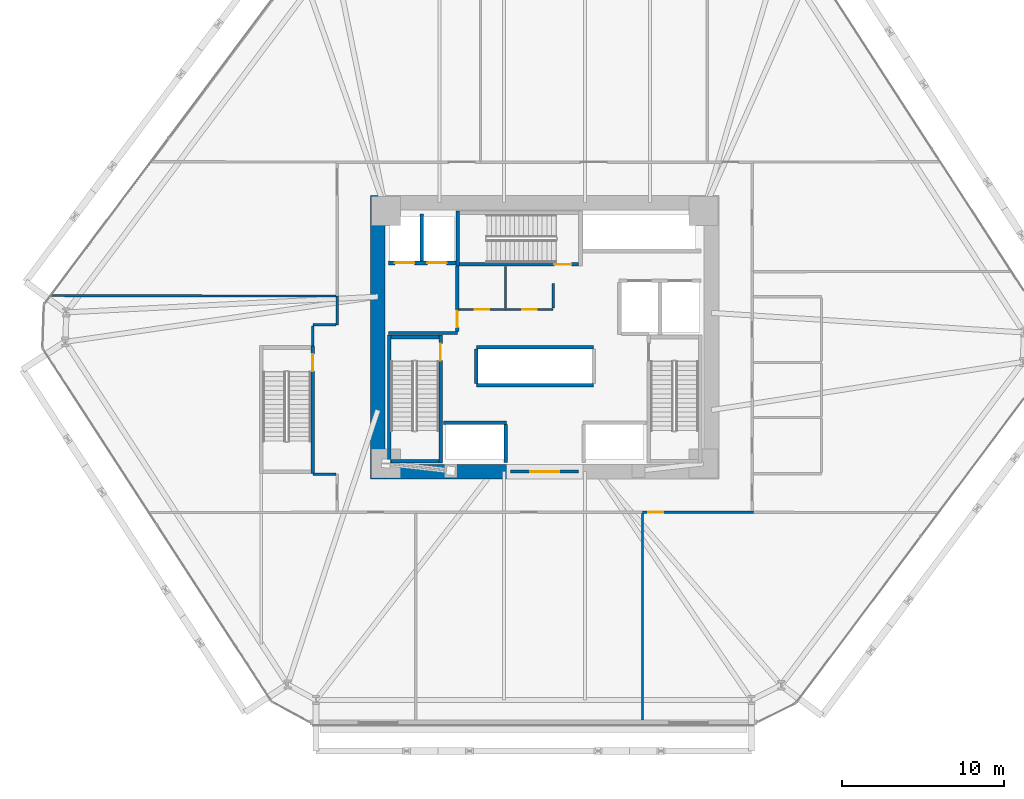
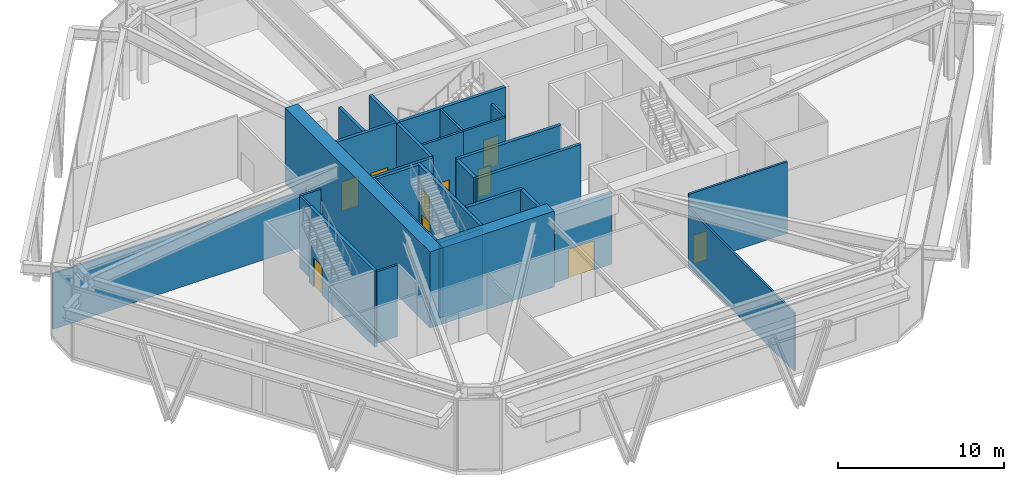
# One storey, part 14 of 19: 30 walls, 10 doors, 10 openings.
"""IFC4 building model written with IfcOpenShell, lengths in metres."""

from ifc_helpers import new_model, si_unit, direction, frame, frame_2d, origin, place, context, subcontext, project, spatial, rectangle, extrude, source, transform, mapped, material, layer, layer_set, type_object, type_shapes, element, fill, save


model = new_model("IFC4")

# Units and contexts
model_context = context("Model", 3, precision=1e-05, world=origin(), true_north=direction((0.0, 1.0)))
body_context = subcontext(model_context, "Body", "Model", "MODEL_VIEW")
ifc_project = project(units=[si_unit("LENGTHUNIT", "METRE"), si_unit("AREAUNIT", "SQUARE_METRE"), si_unit("VOLUMEUNIT", "CUBIC_METRE"), si_unit("PLANEANGLEUNIT", "RADIAN"), si_unit("MASSUNIT", "GRAM", prefix="KILO")], contexts=[model_context])

# Site, building, storey
site_placement = place(None, origin())
site = spatial("IfcSite", under=ifc_project, at=site_placement, CompositionType="ELEMENT")
building_placement = place(site_placement, origin())
building = spatial("IfcBuilding", under=site, at=building_placement, Name="Durnholm Broadcast Tower", CompositionType="ELEMENT")
storey_placement = place(building_placement, frame((0.0, 0.0, 15.60009765625)))
storey = spatial("IfcBuildingStorey", under=building, at=storey_placement, Name="L03", CompositionType="ELEMENT", Elevation=15.60009765625)

# Walls
ifc_material_1 = material(Name="Concrete C70/85", Category="concrete")
ifc_layer_1 = layer(ifc_material_1, 0.89990234375)
ifc_layer_set_1 = layer_set([ifc_layer_1], Name="Concrete C70/85")
wall_type_1 = type_object("IfcWallType", Name="WALL-CW-900", PredefinedType="SHEAR", material=ifc_layer_set_1)
wall_1_placement = place(storey_placement, frame((-10.300048828125, -8.75, 0.0), z_axis=(0.0, 0.0, 1.0), x_axis=(0.0, 1.0, 0.0)))
element("IfcWall", 1, at=wall_1_placement, inside=storey, type_object=wall_type_1, Name="L03 central core shear wall CW-WEST", PredefinedType="SHEAR", context=body_context, shape_type="SweptSolid", body=[
    extrude(rectangle(XDim=17.5, YDim=0.89990234375, at=frame_2d((8.75, 0.0))), origin(), (0.0, 0.0, 1.0), 5.599853515625),
])
wall_2_placement = place(storey_placement, frame((-9.85009765625, -8.300048828125, 0.0), z_axis=(0.0, 0.0, 1.0), x_axis=(1.0, 0.0, 0.0)))
element("IfcWall", 2, at=wall_2_placement, inside=storey, type_object=wall_type_1, Name="L03 central core shear wall CW-S1", PredefinedType="SHEAR", context=body_context, shape_type="SweptSolid", body=[
    extrude(rectangle(XDim=7.75, YDim=0.89990234375, at=frame_2d((3.875, 0.0))), origin(), (0.0, 0.0, 1.0), 5.599853515625),
])

# Wall, opening, door
ifc_material_2 = material(Name="Fire-Rated Gypsum Shaftwall", Category="concrete")
ifc_layer_2 = layer(ifc_material_2, 0.199951171875)
ifc_layer_set_2 = layer_set([ifc_layer_2], Name="Fire-Rated Gypsum Shaftwall")
wall_type_2 = type_object("IfcWallType", Name="WALL-LOB-200", PredefinedType="SOLIDWALL", material=ifc_layer_set_2)
wall_3_placement = place(storey_placement, frame((-2.10009765625, -8.300048828125, 0.0), z_axis=(0.0, 0.0, 1.0), x_axis=(1.0, 0.0, 0.0)))
wall_3 = element("IfcWall", 3, at=wall_3_placement, inside=storey, type_object=wall_type_2, Name="L03 south core lobby fire screen", PredefinedType="SOLIDWALL", context=body_context, shape_type="SweptSolid", body=[
    extrude(rectangle(XDim=4.2001953125, YDim=0.199951171875, at=frame_2d((2.10009765625, 0.0))), origin(), (0.0, 0.0, 1.0), 5.264892578125),
])
opening_1_placement = place(wall_3_placement, frame((1.199951171875, 0.0, 0.0)))
opening_1 = element("IfcOpeningElement", 4, at=opening_1_placement, cuts=wall_3, Name="Opening DP-60", PredefinedType="OPENING", context=body_context, shape_type="SweptSolid", body=[
    extrude(rectangle(XDim=1.800048828125, YDim=2.14990234375, at=frame_2d((0.89990234375, 1.074951171875))), frame((0.0, 0.10986328125, 0.0), z_axis=(0.0, -1.0, 0.0), x_axis=(1.0, 0.0, 0.0)), (0.0, 0.0, 1.0), 0.219970703125),
])
ifc_material_3 = material(Name="Fire-Rated Double Corridor Door", Category="steel")
ifc_layer_3 = layer(ifc_material_3, 0.050048828125)
ifc_layer_set_3 = layer_set([ifc_layer_3], Name="Fire-Rated Double Corridor Door")
door_type_1 = type_object("IfcDoorType", Name="DOOR-PAIR-FD60", OperationType="DOUBLE_DOOR_SINGLE_SWING", PredefinedType="DOOR", material=ifc_layer_set_3)
shared_shape_1 = source(origin(), body_context, "Body", "SweptSolid", [
    extrude(rectangle(XDim=1.800048828125, YDim=2.14990234375, at=frame_2d((0.89990234375, 1.074951171875))), frame((0.0, 0.02490234375, 0.0), z_axis=(0.0, -1.0, 0.0), x_axis=(1.0, 0.0, 0.0)), (0.0, 0.0, 1.0), 0.050048828125),
])
type_shapes(door_type_1, [shared_shape_1])
door_1_placement = place(opening_1_placement, origin())
door_1 = element("IfcDoor", 5, at=door_1_placement, inside=storey, type_object=door_type_1, Name="L03 south core lobby double fire door", OperationType="DOUBLE_DOOR_SINGLE_SWING", OverallHeight=2.14990234375, OverallWidth=1.800048828125, PredefinedType="DOOR", context=body_context, shape_type="MappedRepresentation", body=[
    mapped(shared_shape_1, transform((0.0, 0.0, 0.0), x_axis=(1.0, 0.0, 0.0), y_axis=(0.0, 1.0, 0.0), z_axis=(0.0, 0.0, 1.0), scale=1.0)),
])
fill(opening_1, door_1)

# Wall
wall_4_placement = place(storey_placement, frame((-9.64990234375, 0.25, 0.0), z_axis=(0.0, 0.0, 1.0), x_axis=(1.0, 0.0, 0.0)))
element("IfcWall", 6, at=wall_4_placement, inside=storey, type_object=wall_type_2, Name="L03 Fire Service Access Elevator lobby south wall", PredefinedType="SOLIDWALL", context=body_context, shape_type="SweptSolid", body=[
    extrude(rectangle(XDim=4.27001953125, YDim=0.199951171875, at=frame_2d((2.135009765625, 0.0))), origin(), (0.0, 0.0, 1.0), 5.264892578125),
])

# Wall, opening, door
wall_5_placement = place(storey_placement, frame((-5.39990234375, 0.35400390625, 0.0), z_axis=(0.0, 0.0, 1.0), x_axis=(0.0, 1.0, 0.0)))
wall_5 = element("IfcWall", 7, at=wall_5_placement, inside=storey, type_object=wall_type_2, Name="L03 Fire Service Access Elevator lobby east fire wall", PredefinedType="SOLIDWALL", context=body_context, shape_type="SweptSolid", body=[
    extrude(rectangle(XDim=4.02587890625, YDim=0.199951171875, at=frame_2d((2.012939453125, 0.0))), origin(), (0.0, 0.0, 1.0), 5.264892578125),
])
opening_2_placement = place(wall_5_placement, frame((0.24609375, 0.0, 0.0)))
opening_2 = element("IfcOpeningElement", 8, at=opening_2_placement, cuts=wall_5, Name="Opening DL-60R", PredefinedType="OPENING", context=body_context, shape_type="SweptSolid", body=[
    extrude(rectangle(XDim=1.0, YDim=2.14990234375, at=frame_2d((0.5, 1.074951171875))), frame((0.0, 0.10986328125, 0.0), z_axis=(0.0, -1.0, 0.0), x_axis=(1.0, 0.0, 0.0)), (0.0, 0.0, 1.0), 0.219970703125),
])
ifc_material_4 = material(Name="Fire-Rated Timber/Steel Door", Category="steel")
ifc_layer_4 = layer(ifc_material_4, 0.050048828125)
ifc_layer_set_4 = layer_set([ifc_layer_4], Name="Fire-Rated Timber/Steel Door")
door_type_2 = type_object("IfcDoorType", Name="DOOR-LOB-FD60-R", OperationType="NOTDEFINED", PredefinedType="DOOR", material=ifc_layer_set_4)
shared_shape_2 = source(origin(), body_context, "Body", "SweptSolid", [
    extrude(rectangle(XDim=1.0, YDim=2.14990234375, at=frame_2d((0.5, 1.074951171875))), frame((0.0, 0.02490234375, 0.0), z_axis=(0.0, -1.0, 0.0), x_axis=(1.0, 0.0, 0.0)), (0.0, 0.0, 1.0), 0.050048828125),
])
type_shapes(door_type_2, [shared_shape_2])
door_2_placement = place(opening_2_placement, origin())
door_2 = element("IfcDoor", 9, at=door_2_placement, inside=storey, type_object=door_type_2, Name="L03 Fire Service Access Elevator lobby smoke door", OperationType="SINGLE_SWING_RIGHT", OverallHeight=2.14990234375, OverallWidth=1.0, PredefinedType="DOOR", context=body_context, shape_type="MappedRepresentation", body=[
    mapped(shared_shape_2, transform((0.0, 0.0, 0.0), x_axis=(1.0, 0.0, 0.0), y_axis=(0.0, 1.0, 0.0), z_axis=(0.0, 0.0, 1.0), scale=1.0)),
])
fill(opening_2, door_2)

# Walls
ifc_material_5 = material(Name="Gypsum Metal Stud Partition", Category="concrete")
ifc_layer_5 = layer(ifc_material_5, 0.135009765625)
ifc_layer_set_5 = layer_set([ifc_layer_5], Name="Gypsum Metal Stud Partition")
wall_type_3 = type_object("IfcWallType", Name="WALL-PART-135", PredefinedType="PARTITIONING", material=ifc_layer_set_5)
wall_6_placement = place(storey_placement, frame((-2.419921875, 4.375, 0.0), z_axis=(0.0, 0.0, 1.0), x_axis=(0.0, -1.0, 0.0)))
element("IfcWall", 10, at=wall_6_placement, inside=storey, type_object=wall_type_3, Name="L03 room dividing partition 1.2", PredefinedType="PARTITIONING", context=body_context, shape_type="SweptSolid", body=[
    extrude(rectangle(XDim=2.5859375, YDim=0.135009765625, at=frame_2d((1.29296875, 0.0))), origin(), (0.0, 0.0, 1.0), 5.264892578125),
])
wall_7_placement = place(storey_placement, frame((6.0400390625, -10.888916015625, 0.0), z_axis=(0.0, 0.0, 1.0), x_axis=(0.0, -1.0, 0.0)))
element("IfcWall", 11, at=wall_7_placement, inside=storey, type_object=wall_type_3, Name="L03 room dividing partition 10.11", PredefinedType="PARTITIONING", context=body_context, shape_type="SweptSolid", body=[
    extrude(rectangle(XDim=12.756103515625, YDim=0.135009765625, at=frame_2d((6.3779296875, 0.0))), origin(), (0.0, 0.0, 1.0), 4.284423828125),
])
wall_8_placement = place(storey_placement, frame((-30.504638671875, 2.56396484375, 0.0), z_axis=(0.0, 0.0, 1.0), x_axis=(0.999999077639, -0.001358204807, 0.0)))
element("IfcWall", 12, at=wall_8_placement, inside=storey, type_object=wall_type_3, Name="L03 room dividing partition 12.13", PredefinedType="PARTITIONING", context=body_context, shape_type="SweptSolid", body=[
    extrude(rectangle(XDim=17.61572265625, YDim=0.135009765625, at=frame_2d((8.807861328125, 0.0))), origin(), (0.0, 0.0, 1.0), 4.096923828125),
])

# Wall, opening, door
ifc_material_6 = material(Name="Acoustic Gypsum Stud Partition", Category="concrete")
ifc_layer_6 = layer(ifc_material_6, 0.14990234375)
ifc_layer_set_6 = layer_set([ifc_layer_6], Name="Acoustic Gypsum Stud Partition")
wall_type_4 = type_object("IfcWallType", Name="WALL-PART-150", PredefinedType="PARTITIONING", material=ifc_layer_set_6)
wall_9_placement = place(storey_placement, frame((-2.419921875, 1.7099609375, 0.0), z_axis=(0.0, 0.0, 1.0), x_axis=(-1.0, 0.0, 0.0)))
wall_9 = element("IfcWall", 13, at=wall_9_placement, inside=storey, type_object=wall_type_4, Name="L03 Core Equipment Store corridor partition", PredefinedType="PARTITIONING", context=body_context, shape_type="SweptSolid", body=[
    extrude(rectangle(XDim=2.8759765625, YDim=0.14990234375, at=frame_2d((1.43798828125, 0.0))), origin(), (0.0, 0.0, 1.0), 5.264892578125),
])
opening_3_placement = place(wall_9_placement, frame((0.988037109375, 0.0, 0.0)))
opening_3 = element("IfcOpeningElement", 14, at=opening_3_placement, cuts=wall_9, Name="Opening DC-60R", PredefinedType="OPENING", context=body_context, shape_type="SweptSolid", body=[
    extrude(rectangle(XDim=0.89990234375, YDim=2.050048828125, at=frame_2d((0.449951171875, 1.02490234375))), frame((0.0, 0.0849609375, 0.0), z_axis=(0.0, -1.0, 0.0), x_axis=(1.0, 0.0, 0.0)), (0.0, 0.0, 1.0), 0.169921875),
])
ifc_material_7 = material(Name="Fire-Rated Core Service Door", Category="steel")
ifc_layer_7 = layer(ifc_material_7, 0.050048828125)
ifc_layer_set_7 = layer_set([ifc_layer_7], Name="Fire-Rated Core Service Door")
door_type_3 = type_object("IfcDoorType", Name="DOOR-CORE-FD60-R", OperationType="NOTDEFINED", PredefinedType="DOOR", material=ifc_layer_set_7)
shared_shape_3 = source(origin(), body_context, "Body", "SweptSolid", [
    extrude(rectangle(XDim=0.89990234375, YDim=2.050048828125, at=frame_2d((0.449951171875, 1.02490234375))), frame((0.0, 0.02490234375, 0.0), z_axis=(0.0, -1.0, 0.0), x_axis=(1.0, 0.0, 0.0)), (0.0, 0.0, 1.0), 0.050048828125),
])
type_shapes(door_type_3, [shared_shape_3])
door_3_placement = place(opening_3_placement, origin())
door_3 = element("IfcDoor", 15, at=door_3_placement, inside=storey, type_object=door_type_3, Name="L03 Core Equipment Store entrance door", OperationType="SINGLE_SWING_RIGHT", OverallHeight=2.050048828125, OverallWidth=0.89990234375, PredefinedType="DOOR", context=body_context, shape_type="MappedRepresentation", body=[
    mapped(shared_shape_3, transform((0.0, 0.0, 0.0), x_axis=(1.0, 0.0, 0.0), y_axis=(0.0, 1.0, 0.0), z_axis=(0.0, 0.0, 1.0), scale=1.0)),
])
fill(opening_3, door_3)

wall_10_placement = place(storey_placement, frame((0.52001953125, 1.7099609375, 0.0), z_axis=(0.0, 0.0, 1.0), x_axis=(-1.0, 0.0, 0.0)))
wall_10 = element("IfcWall", 16, at=wall_10_placement, inside=storey, type_object=wall_type_4, Name="L03 Core Mail and Supply Room corridor partition", PredefinedType="PARTITIONING", context=body_context, shape_type="SweptSolid", body=[
    extrude(rectangle(XDim=2.93994140625, YDim=0.14990234375, at=frame_2d((1.469970703125, 0.0))), origin(), (0.0, 0.0, 1.0), 5.264892578125),
])
opening_4_placement = place(wall_10_placement, frame((1.02001953125, 0.0, 0.0)))
opening_4 = element("IfcOpeningElement", 17, at=opening_4_placement, cuts=wall_10, Name="Opening DC-60L", PredefinedType="OPENING", context=body_context, shape_type="SweptSolid", body=[
    extrude(rectangle(XDim=0.89990234375, YDim=2.050048828125, at=frame_2d((0.449951171875, 1.02490234375))), frame((0.0, 0.0849609375, 0.0), z_axis=(0.0, -1.0, 0.0), x_axis=(1.0, 0.0, 0.0)), (0.0, 0.0, 1.0), 0.169921875),
])
ifc_layer_8 = layer(ifc_material_7, 0.050048828125)
ifc_layer_set_8 = layer_set([ifc_layer_8], Name="Fire-Rated Core Service Door")
door_type_4 = type_object("IfcDoorType", Name="DOOR-CORE-FD60-L", OperationType="NOTDEFINED", PredefinedType="DOOR", material=ifc_layer_set_8)
shared_shape_4 = source(origin(), body_context, "Body", "SweptSolid", [
    extrude(rectangle(XDim=0.89990234375, YDim=2.050048828125, at=frame_2d((0.449951171875, 1.02490234375))), frame((0.0, 0.02490234375, 0.0), z_axis=(0.0, -1.0, 0.0), x_axis=(1.0, 0.0, 0.0)), (0.0, 0.0, 1.0), 0.050048828125),
])
type_shapes(door_type_4, [shared_shape_4])
door_4_placement = place(opening_4_placement, origin())
door_4 = element("IfcDoor", 18, at=door_4_placement, inside=storey, type_object=door_type_4, Name="L03 Core Mail and Supply Room entrance door", OperationType="SINGLE_SWING_LEFT", OverallHeight=2.050048828125, OverallWidth=0.89990234375, PredefinedType="DOOR", context=body_context, shape_type="MappedRepresentation", body=[
    mapped(shared_shape_4, transform((0.0, 0.0, 0.0), x_axis=(1.0, 0.0, 0.0), y_axis=(0.0, 1.0, 0.0), z_axis=(0.0, 0.0, 1.0), scale=1.0)),
])
fill(opening_4, door_4)

# Wall
wall_11_placement = place(storey_placement, frame((0.52001953125, 3.300048828125, 0.0), z_axis=(0.0, 0.0, 1.0), x_axis=(0.0, -1.0, 0.0)))
element("IfcWall", 19, at=wall_11_placement, inside=storey, type_object=wall_type_4, Name="L03 Core Mail and Supply Room corridor partition", PredefinedType="PARTITIONING", context=body_context, shape_type="SweptSolid", body=[
    extrude(rectangle(XDim=1.510986328125, YDim=0.14990234375, at=frame_2d((0.75537109375, 0.0))), origin(), (0.0, 0.0, 1.0), 5.264892578125),
])

# Wall, opening, door
wall_12_placement = place(storey_placement, frame((6.0400390625, -10.81005859375, 0.0), z_axis=(0.0, 0.0, 1.0), x_axis=(1.0, 0.0, 0.0)))
wall_12 = element("IfcWall", 20, at=wall_12_placement, inside=storey, type_object=wall_type_4, Name="L03 Green Lounge corridor partition", PredefinedType="PARTITIONING", context=body_context, shape_type="SweptSolid", body=[
    extrude(rectangle(XDim=6.849853515625, YDim=0.14990234375, at=frame_2d((3.4248046875, 0.0))), origin(), (0.0, 0.0, 1.0), 5.264892578125),
])
opening_5_placement = place(wall_12_placement, frame((0.35009765625, 0.0, 0.0)))
opening_5 = element("IfcOpeningElement", 21, at=opening_5_placement, cuts=wall_12, Name="Opening DR-92R", PredefinedType="OPENING", context=body_context, shape_type="SweptSolid", body=[
    extrude(rectangle(XDim=0.919921875, YDim=2.10009765625, at=frame_2d((0.4599609375, 1.050048828125))), frame((0.0, 0.0849609375, 0.0), z_axis=(0.0, -1.0, 0.0), x_axis=(1.0, 0.0, 0.0)), (0.0, 0.0, 1.0), 0.169921875),
])
ifc_material_8 = material(Name="Oak Veneer Office Door", Category="wood")
ifc_layer_9 = layer(ifc_material_8, 0.050048828125)
ifc_layer_set_9 = layer_set([ifc_layer_9], Name="Oak Veneer Office Door")
door_type_5 = type_object("IfcDoorType", Name="DOOR-RM-920R", OperationType="NOTDEFINED", PredefinedType="DOOR", material=ifc_layer_set_9)
shared_shape_5 = source(origin(), body_context, "Body", "SweptSolid", [
    extrude(rectangle(XDim=0.919921875, YDim=2.10009765625, at=frame_2d((0.4599609375, 1.050048828125))), frame((0.0, 0.02490234375, 0.0), z_axis=(0.0, -1.0, 0.0), x_axis=(1.0, 0.0, 0.0)), (0.0, 0.0, 1.0), 0.050048828125),
])
type_shapes(door_type_5, [shared_shape_5])
door_5_placement = place(opening_5_placement, origin())
door_5 = element("IfcDoor", 22, at=door_5_placement, inside=storey, type_object=door_type_5, Name="L03 Green Lounge entrance door", OperationType="SINGLE_SWING_RIGHT", OverallHeight=2.10009765625, OverallWidth=0.919921875, PredefinedType="DOOR", context=body_context, shape_type="MappedRepresentation", body=[
    mapped(shared_shape_5, transform((0.0, 0.0, 0.0), x_axis=(1.0, 0.0, 0.0), y_axis=(0.0, 1.0, 0.0), z_axis=(0.0, 0.0, 1.0), scale=1.0)),
])
fill(opening_5, door_5)

# Walls
wall_13_placement = place(storey_placement, frame((-12.81005859375, 2.5400390625, 0.0), z_axis=(0.0, 0.0, 1.0), x_axis=(0.0, -1.0, 0.0)))
element("IfcWall", 23, at=wall_13_placement, inside=storey, type_object=wall_type_4, Name="L03 Lighting Rack Store corridor partition", PredefinedType="PARTITIONING", context=body_context, shape_type="SweptSolid", body=[
    extrude(rectangle(XDim=1.780029296875, YDim=0.14990234375, at=frame_2d((0.89013671875, 0.0))), origin(), (0.0, 0.0, 1.0), 4.284423828125),
])
for number, where, z_axis, x_axis, name in (
    (24, (-12.888916015625, 0.760009765625, 0.0), (0.0, 0.0, 1.0), (-1.0, 0.0, 0.0), "L03 Lighting Rack Store corridor partition"),
    (25, (-14.31005859375, -8.4599609375, 0.0), (0.0, 0.0, 1.0), (1.0, 0.0, 0.0), "L03 Lighting Rack Store corridor partition"),
):
    element("IfcWall", number, at=place(storey_placement, frame(where, z_axis=z_axis, x_axis=x_axis)), inside=storey, type_object=wall_type_4, Name=name, PredefinedType="PARTITIONING", context=body_context, shape_type="SweptSolid", body=[
        extrude(rectangle(XDim=1.421142578125, YDim=0.14990234375, at=frame_2d((0.71044921875, 0.0))), origin(), (0.0, 0.0, 1.0), 5.264892578125),
    ])
wall_14_placement = place(storey_placement, frame((-14.31005859375, 0.680908203125, 0.0), z_axis=(0.0, 0.0, 1.0), x_axis=(0.0, -1.0, 0.0)))
element("IfcWall", 26, at=wall_14_placement, inside=storey, type_object=wall_type_4, Name="L03 Lighting Rack Store corridor partition", PredefinedType="PARTITIONING", context=body_context, shape_type="SweptSolid", body=[
    extrude(rectangle(XDim=1.2109375, YDim=0.14990234375, at=frame_2d((0.60546875, 0.0))), origin(), (0.0, 0.0, 1.0), 5.264892578125),
])

# Wall, openings, doors
ifc_material_9 = material(Name="Concrete Blockwork C30/37", Category="masonry")
ifc_layer_10 = layer(ifc_material_9, 0.219970703125)
ifc_layer_set_10 = layer_set([ifc_layer_10], Name="Concrete Blockwork C30/37")
wall_type_5 = type_object("IfcWallType", Name="WALL-SHAFT-220", PredefinedType="SOLIDWALL", material=ifc_layer_set_10)
wall_15_placement = place(storey_placement, frame((-9.64990234375, 4.580078125, 0.0), z_axis=(0.0, 0.0, 1.0), x_axis=(1.0, 0.0, 0.0)))
wall_15 = element("IfcWall", 27, at=wall_15_placement, inside=storey, type_object=wall_type_5, Name="L03 FSAE hoistway front fire wall", PredefinedType="SOLIDWALL", context=body_context, shape_type="SweptSolid", body=[
    extrude(rectangle(XDim=4.1748046875, YDim=0.219970703125, at=frame_2d((2.08740234375, 0.0))), origin(), (0.0, 0.0, 1.0), 5.264892578125),
])
opening_6_placement = place(wall_15_placement, frame((0.39990234375, 0.0, 0.0)))
opening_6 = element("IfcOpeningElement", 28, at=opening_6_placement, cuts=wall_15, Name="Opening LD-FSAE-2", PredefinedType="OPENING", context=body_context, shape_type="SweptSolid", body=[
    extrude(rectangle(XDim=1.199951171875, YDim=2.14990234375, at=frame_2d((0.60009765625, 1.074951171875))), frame((0.0, 0.1201171875, 0.0), z_axis=(0.0, -1.0, 0.0), x_axis=(1.0, 0.0, 0.0)), (0.0, 0.0, 1.0), 0.239990234375),
])
opening_7_placement = place(wall_15_placement, frame((2.39990234375, 0.0, 0.0)))
opening_7 = element("IfcOpeningElement", 29, at=opening_7_placement, cuts=wall_15, Name="Opening LD-FSAE-1", PredefinedType="OPENING", context=body_context, shape_type="SweptSolid", body=[
    extrude(rectangle(XDim=1.199951171875, YDim=2.14990234375, at=frame_2d((0.60009765625, 1.074951171875))), frame((0.0, 0.1201171875, 0.0), z_axis=(0.0, -1.0, 0.0), x_axis=(1.0, 0.0, 0.0)), (0.0, 0.0, 1.0), 0.239990234375),
])
ifc_material_10 = material(Name="Fire Service Access Sliding Landing Door", Category="steel")
ifc_layer_11 = layer(ifc_material_10, 0.050048828125)
ifc_layer_set_11 = layer_set([ifc_layer_11], Name="Fire Service Access Sliding Landing Door")
door_type_6 = type_object("IfcDoorType", Name="DOOR-LIFT-FSAE", OperationType="DOUBLE_DOOR_SLIDING", PredefinedType="DOOR", material=ifc_layer_set_11)
shared_shape_6 = source(origin(), body_context, "Body", "SweptSolid", [
    extrude(rectangle(XDim=1.199951171875, YDim=2.14990234375, at=frame_2d((0.60009765625, 1.074951171875))), frame((0.0, 0.02490234375, 0.0), z_axis=(0.0, -1.0, 0.0), x_axis=(1.0, 0.0, 0.0)), (0.0, 0.0, 1.0), 0.050048828125),
])
type_shapes(door_type_6, [shared_shape_6])
door_6_placement = place(opening_6_placement, origin())
door_6 = element("IfcDoor", 30, at=door_6_placement, inside=storey, type_object=door_type_6, Name="L03 Fire Service Access Elevator FSAE-2 sliding landing door", OperationType="DOUBLE_DOOR_SLIDING", OverallHeight=2.14990234375, OverallWidth=1.199951171875, PredefinedType="DOOR", context=body_context, shape_type="MappedRepresentation", body=[
    mapped(shared_shape_6, transform((0.0, 0.0, 0.0), x_axis=(1.0, 0.0, 0.0), y_axis=(0.0, 1.0, 0.0), z_axis=(0.0, 0.0, 1.0), scale=1.0)),
])
fill(opening_6, door_6)
door_7_placement = place(opening_7_placement, origin())
door_7 = element("IfcDoor", 31, at=door_7_placement, inside=storey, type_object=door_type_6, Name="L03 Fire Service Access Elevator FSAE-1 sliding landing door", OperationType="DOUBLE_DOOR_SLIDING", OverallHeight=2.14990234375, OverallWidth=1.199951171875, PredefinedType="DOOR", context=body_context, shape_type="MappedRepresentation", body=[
    mapped(shared_shape_6, transform((0.0, 0.0, 0.0), x_axis=(1.0, 0.0, 0.0), y_axis=(0.0, 1.0, 0.0), z_axis=(0.0, 0.0, 1.0), scale=1.0)),
])
fill(opening_7, door_7)

# Walls
wall_16_placement = place(storey_placement, frame((-7.580078125, 4.694091796875, 0.0), z_axis=(0.0, 0.0, 1.0), x_axis=(0.0, 1.0, 0.0)))
element("IfcWall", 32, at=wall_16_placement, inside=storey, type_object=wall_type_5, Name="L03 FSAE shaft divider wall", PredefinedType="SOLIDWALL", context=body_context, shape_type="SweptSolid", body=[
    extrude(rectangle(XDim=2.906005859375, YDim=0.219970703125, at=frame_2d((1.453125, 0.0))), origin(), (0.0, 0.0, 1.0), 5.264892578125),
])
wall_17_placement = place(storey_placement, frame((-6.25, -5.280029296875, 0.0), z_axis=(0.0, 0.0, 1.0), x_axis=(1.0, 0.0, 0.0)))
element("IfcWall", 33, at=wall_17_placement, inside=storey, type_object=wall_type_5, Name="L03 low-rise bank P1 west front wall", PredefinedType="SOLIDWALL", context=body_context, shape_type="SweptSolid", body=[
    extrude(rectangle(XDim=3.89990234375, YDim=0.219970703125, at=frame_2d((1.949951171875, 0.0))), origin(), (0.0, 0.0, 1.0), 5.264892578125),
])
wall_18_placement = place(storey_placement, frame((-2.39990234375, -7.75, 0.0), z_axis=(0.0, 0.0, 1.0), x_axis=(0.0, 1.0, 0.0)))
element("IfcWall", 34, at=wall_18_placement, inside=storey, type_object=wall_type_5, Name="L03 low-rise bank P1 west mouth wall", PredefinedType="SOLIDWALL", context=body_context, shape_type="SweptSolid", body=[
    extrude(rectangle(XDim=2.35595703125, YDim=0.219970703125, at=frame_2d((1.177978515625, 0.0))), origin(), (0.0, 0.0, 1.0), 5.264892578125),
])
for number, where, z_axis, x_axis, name in (
    (35, (-4.219970703125, -2.97998046875, 0.0), (0.0, 0.0, 1.0), (1.0, 0.0, 0.0), "L03 mid-rise bank P2 south front wall"),
    (36, (-4.219970703125, -0.6201171875, 0.0), (0.0, 0.0, 1.0), (1.0, 0.0, 0.0), "L03 mid-rise bank P2 north shaft wall"),
):
    element("IfcWall", number, at=place(storey_placement, frame(where, z_axis=z_axis, x_axis=x_axis)), inside=storey, type_object=wall_type_5, Name=name, PredefinedType="SOLIDWALL", context=body_context, shape_type="SweptSolid", body=[
        extrude(rectangle(XDim=7.239990234375, YDim=0.219970703125, at=frame_2d((3.6201171875, 0.0))), origin(), (0.0, 0.0, 1.0), 5.264892578125),
    ])
wall_19_placement = place(storey_placement, frame((-4.219970703125, -2.865966796875, 0.0), z_axis=(0.0, 0.0, 1.0), x_axis=(0.0, 1.0, 0.0)))
element("IfcWall", 37, at=wall_19_placement, inside=storey, type_object=wall_type_5, Name="L03 mid-rise bank P2 west shaft wall", PredefinedType="SOLIDWALL", context=body_context, shape_type="SweptSolid", body=[
    extrude(rectangle(XDim=2.132080078125, YDim=0.219970703125, at=frame_2d((1.06591796875, 0.0))), origin(), (0.0, 0.0, 1.0), 5.264892578125),
])

# Wall, opening, door
ifc_material_11 = material(Name="Concrete C50/60", Category="concrete")
ifc_layer_12 = layer(ifc_material_11, 0.219970703125)
ifc_layer_set_12 = layer_set([ifc_layer_12], Name="Concrete C50/60")
wall_type_6 = type_object("IfcWallType", Name="WALL-SW-220", PredefinedType="SHEAR", material=ifc_layer_set_12)
wall_20_placement = place(storey_placement, frame((-6.429931640625, -7.77001953125, -0.320068359375), z_axis=(0.0, 0.0, 1.0), x_axis=(0.0, 1.0, 0.0)))
wall_20 = element("IfcWall", 38, at=wall_20_placement, inside=storey, type_object=wall_type_6, Name="L03 stair ST-1 structural shaft wall E", PredefinedType="SHEAR", context=body_context, shape_type="SweptSolid", body=[
    extrude(rectangle(XDim=7.89013671875, YDim=0.219970703125, at=frame_2d((3.945068359375, 0.0))), origin(), (0.0, 0.0, 1.0), 5.599853515625),
])
opening_8_placement = place(wall_20_placement, frame((6.320068359375, 0.0, 0.0)))
opening_8 = element("IfcOpeningElement", 39, at=opening_8_placement, cuts=wall_20, Name="Opening DS-90L", PredefinedType="OPENING", context=body_context, shape_type="SweptSolid", body=[
    extrude(rectangle(XDim=1.050048828125, YDim=2.14990234375, at=frame_2d((0.52490234375, 1.074951171875))), frame((0.0, 0.1201171875, 0.0), z_axis=(0.0, -1.0, 0.0), x_axis=(1.0, 0.0, 0.0)), (0.0, 0.0, 1.0), 0.239990234375),
])
ifc_material_12 = material(Name="Fire-Rated Steel Door", Category="steel")
ifc_layer_13 = layer(ifc_material_12, 0.050048828125)
ifc_layer_set_13 = layer_set([ifc_layer_13], Name="Fire-Rated Steel Door")
door_type_7 = type_object("IfcDoorType", Name="DOOR-ST-FD90-L", OperationType="NOTDEFINED", PredefinedType="DOOR", material=ifc_layer_set_13)
shared_shape_7 = source(origin(), body_context, "Body", "SweptSolid", [
    extrude(rectangle(XDim=1.050048828125, YDim=2.14990234375, at=frame_2d((0.52490234375, 1.074951171875))), frame((0.0, 0.02490234375, 0.0), z_axis=(0.0, -1.0, 0.0), x_axis=(1.0, 0.0, 0.0)), (0.0, 0.0, 1.0), 0.050048828125),
])
type_shapes(door_type_7, [shared_shape_7])
door_8_placement = place(opening_8_placement, origin())
door_8 = element("IfcDoor", 40, at=door_8_placement, inside=storey, type_object=door_type_7, Name="L03 exit stair ST-1 fire door", OperationType="SINGLE_SWING_LEFT", OverallHeight=2.14990234375, OverallWidth=1.050048828125, PredefinedType="DOOR", context=body_context, shape_type="MappedRepresentation", body=[
    mapped(shared_shape_7, transform((0.0, 0.0, 0.0), x_axis=(1.0, 0.0, 0.0), y_axis=(0.0, 1.0, 0.0), z_axis=(0.0, 0.0, 1.0), scale=1.0)),
])
fill(opening_8, door_8)

# Walls
wall_21_placement = place(storey_placement, frame((-9.610107421875, 0.1201171875, -0.320068359375), z_axis=(0.0, 0.0, 1.0), x_axis=(0.0, -1.0, 0.0)))
element("IfcWall", 41, at=wall_21_placement, inside=storey, type_object=wall_type_6, Name="L03 stair ST-1 structural shaft wall W", PredefinedType="SHEAR", context=body_context, shape_type="SweptSolid", body=[
    extrude(rectangle(XDim=7.89013671875, YDim=0.219970703125, at=frame_2d((3.945068359375, 0.0))), origin(), (0.0, 0.0, 1.0), 5.599853515625),
])
for number, where, z_axis, x_axis, name in (
    (42, (-9.5, -7.659912109375, -0.320068359375), (0.0, 0.0, 1.0), (1.0, 0.0, 0.0), "L03 stair ST-1 structural shaft wall S"),
    (43, (-6.5400390625, 0.010009765625, -0.320068359375), (0.0, 0.0, 1.0), (-1.0, 0.0, 0.0), "L03 stair ST-1 structural shaft wall N"),
):
    element("IfcWall", number, at=place(storey_placement, frame(where, z_axis=z_axis, x_axis=x_axis)), inside=storey, type_object=wall_type_6, Name=name, PredefinedType="SHEAR", context=body_context, shape_type="SweptSolid", body=[
        extrude(rectangle(XDim=2.9599609375, YDim=0.219970703125, at=frame_2d((1.47998046875, 0.0))), origin(), (0.0, 0.0, 1.0), 5.599853515625),
    ])
wall_22_placement = place(storey_placement, frame((-5.360107421875, 7.780029296875, -0.320068359375), z_axis=(0.0, 0.0, 1.0), x_axis=(0.0, -1.0, 0.0)))
element("IfcWall", 44, at=wall_22_placement, inside=storey, type_object=wall_type_6, Name="L03 stair ST-3 structural shaft wall W", PredefinedType="SHEAR", context=body_context, shape_type="SweptSolid", body=[
    extrude(rectangle(XDim=3.400146484375, YDim=0.219970703125, at=frame_2d((1.7001953125, 0.0))), origin(), (0.0, 0.0, 1.0), 5.599853515625),
])

# Wall, opening, door
wall_23_placement = place(storey_placement, frame((-5.25, 4.489990234375, -0.320068359375), z_axis=(0.0, 0.0, 1.0), x_axis=(1.0, 0.0, 0.0)))
wall_23 = element("IfcWall", 45, at=wall_23_placement, inside=storey, type_object=wall_type_6, Name="L03 stair ST-3 structural shaft wall S", PredefinedType="SHEAR", context=body_context, shape_type="SweptSolid", body=[
    extrude(rectangle(XDim=7.35009765625, YDim=0.219970703125, at=frame_2d((3.675048828125, 0.0))), origin(), (0.0, 0.0, 1.0), 5.599853515625),
])
opening_9_placement = place(wall_23_placement, frame((5.85009765625, 0.0, 0.0)))
opening_9 = element("IfcOpeningElement", 46, at=opening_9_placement, cuts=wall_23, Name="Opening DS-90L", PredefinedType="OPENING", context=body_context, shape_type="SweptSolid", body=[
    extrude(rectangle(XDim=1.050048828125, YDim=2.14990234375, at=frame_2d((0.52490234375, 1.074951171875))), frame((0.0, 0.1201171875, 0.0), z_axis=(0.0, -1.0, 0.0), x_axis=(1.0, 0.0, 0.0)), (0.0, 0.0, 1.0), 0.239990234375),
])
door_9_placement = place(opening_9_placement, origin())
door_9 = element("IfcDoor", 47, at=door_9_placement, inside=storey, type_object=door_type_7, Name="L03 exit stair ST-3 fire door", OperationType="SINGLE_SWING_LEFT", OverallHeight=2.14990234375, OverallWidth=1.050048828125, PredefinedType="DOOR", context=body_context, shape_type="MappedRepresentation", body=[
    mapped(shared_shape_7, transform((0.0, 0.0, 0.0), x_axis=(1.0, 0.0, 0.0), y_axis=(0.0, 1.0, 0.0), z_axis=(0.0, 0.0, 1.0), scale=1.0)),
])
fill(opening_9, door_9)

wall_24_placement = place(storey_placement, frame((-14.330078125, -8.419921875, -0.320068359375), z_axis=(0.0, 0.0, 1.0), x_axis=(0.0, 1.0, 0.0)))
wall_24 = element("IfcWall", 48, at=wall_24_placement, inside=storey, type_object=wall_type_6, Name="L03 stair ST-4 structural shaft wall E", PredefinedType="SHEAR", context=body_context, shape_type="SweptSolid", body=[
    extrude(rectangle(XDim=7.889892578125, YDim=0.219970703125, at=frame_2d((3.94482421875, 0.0))), origin(), (0.0, 0.0, 1.0), 5.599853515625),
])
opening_10_placement = place(wall_24_placement, frame((6.320068359375, 0.0, 0.0)))
opening_10 = element("IfcOpeningElement", 49, at=opening_10_placement, cuts=wall_24, Name="Opening DS-90R", PredefinedType="OPENING", context=body_context, shape_type="SweptSolid", body=[
    extrude(rectangle(XDim=1.050048828125, YDim=2.14990234375, at=frame_2d((0.52490234375, 1.074951171875))), frame((0.0, 0.1201171875, 0.0), z_axis=(0.0, -1.0, 0.0), x_axis=(1.0, 0.0, 0.0)), (0.0, 0.0, 1.0), 0.239990234375),
])
ifc_layer_14 = layer(ifc_material_12, 0.050048828125)
ifc_layer_set_14 = layer_set([ifc_layer_14], Name="Fire-Rated Steel Door")
door_type_8 = type_object("IfcDoorType", Name="DOOR-ST-FD90-R", OperationType="NOTDEFINED", PredefinedType="DOOR", material=ifc_layer_set_14)
shared_shape_8 = source(origin(), body_context, "Body", "SweptSolid", [
    extrude(rectangle(XDim=1.050048828125, YDim=2.14990234375, at=frame_2d((0.52490234375, 1.074951171875))), frame((0.0, 0.02490234375, 0.0), z_axis=(0.0, -1.0, 0.0), x_axis=(1.0, 0.0, 0.0)), (0.0, 0.0, 1.0), 0.050048828125),
])
type_shapes(door_type_8, [shared_shape_8])
door_10_placement = place(opening_10_placement, origin())
door_10 = element("IfcDoor", 50, at=door_10_placement, inside=storey, type_object=door_type_8, Name="L03 podium stair ST-4 fire door", OperationType="SINGLE_SWING_RIGHT", OverallHeight=2.14990234375, OverallWidth=1.050048828125, PredefinedType="DOOR", context=body_context, shape_type="MappedRepresentation", body=[
    mapped(shared_shape_8, transform((0.0, 0.0, 0.0), x_axis=(1.0, 0.0, 0.0), y_axis=(0.0, 1.0, 0.0), z_axis=(0.0, 0.0, 1.0), scale=1.0)),
])
fill(opening_10, door_10)

save(model, "model.ifc")
